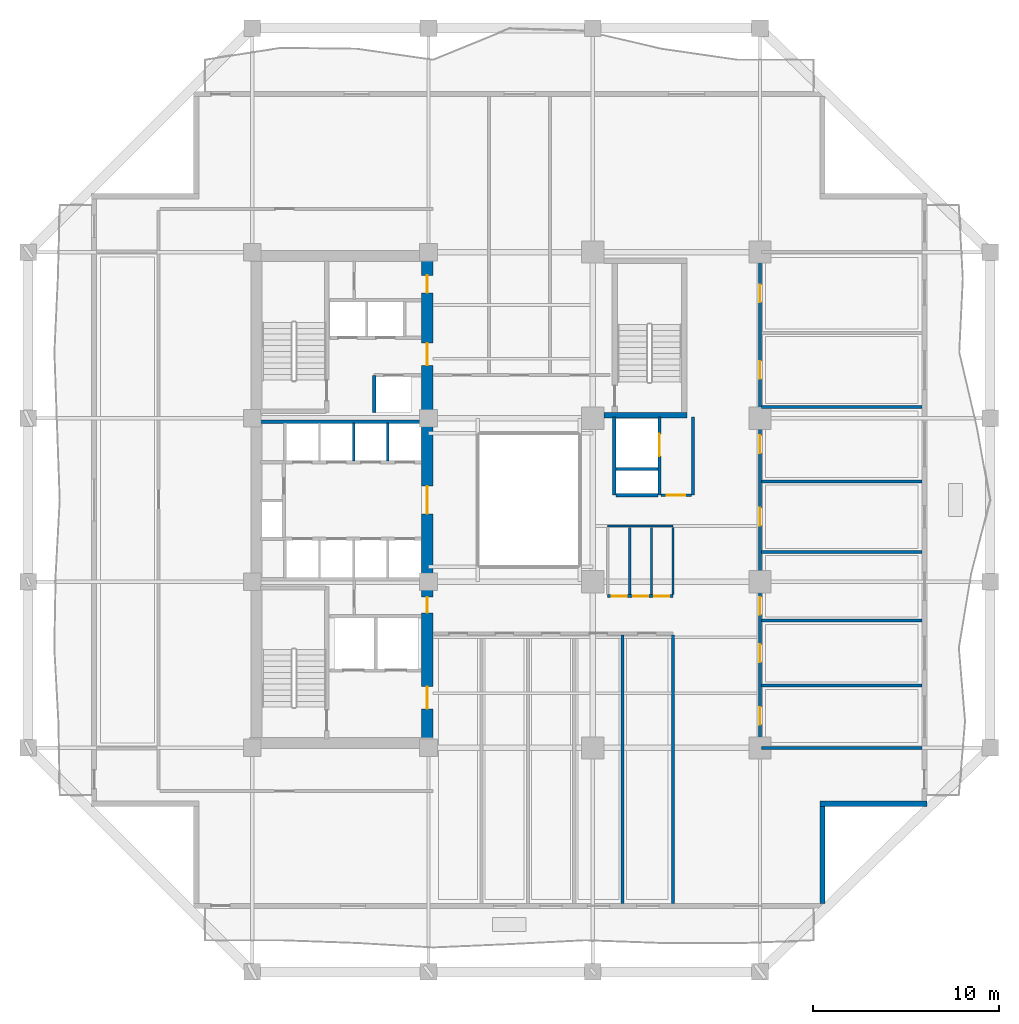
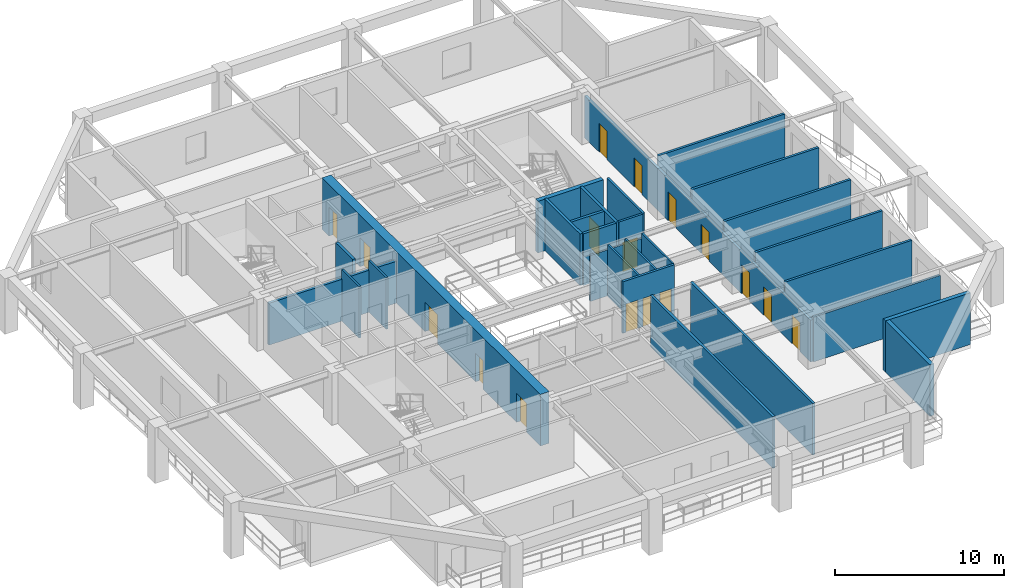
# One storey, part 4 of 13: 28 walls, 17 doors, 17 openings.
"""IFC4 building model written with IfcOpenShell, lengths in metres."""

from ifc_helpers import new_model, si_unit, direction, frame, frame_2d, origin, place, context, subcontext, project, spatial, rectangle, extrude, material, layer, layer_set, type_object, element, fill, save


model = new_model("IFC4")

# Units and contexts
model_context = context("Model", 3, precision=1e-05, world=origin(), true_north=direction((0.0, 1.0)))
body_context = subcontext(model_context, "Body", "Model", "MODEL_VIEW")
ifc_project = project(units=[si_unit("LENGTHUNIT", "METRE"), si_unit("AREAUNIT", "SQUARE_METRE"), si_unit("VOLUMEUNIT", "CUBIC_METRE"), si_unit("PLANEANGLEUNIT", "RADIAN"), si_unit("MASSUNIT", "GRAM", prefix="KILO")], contexts=[model_context])

# Site, building, storey
site_placement = place(None, origin())
site = spatial("IfcSite", under=ifc_project, at=site_placement, CompositionType="ELEMENT")
building_placement = place(site_placement, origin())
building = spatial("IfcBuilding", under=site, at=building_placement, Name="Kundavana Baori Tower", CompositionType="ELEMENT")
storey_placement = place(building_placement, frame((0.0, 0.0, 62.0)))
storey = spatial("IfcBuildingStorey", under=building, at=storey_placement, Name="L14", CompositionType="ELEMENT", Elevation=62.0)

# Wall, openings, doors
ifc_material_1 = material(Name="Concrete C60/75", Category="concrete")
ifc_layer_1 = layer(ifc_material_1, 0.60009765625, Name="WL-CORE-600")
ifc_layer_set_1 = layer_set([ifc_layer_1], Name="Concrete C60/75")
wall_type_1 = type_object("IfcWallType", Name="WL-CORE-600", PredefinedType="SHEAR", material=ifc_layer_set_1)
wall_1_placement = place(storey_placement, frame((24.8798828125, 15.739990234375, 0.0), z_axis=(0.0, 0.0, 1.0), x_axis=(0.0, 1.0, 0.0)))
wall_1 = element("IfcWall", 1, at=wall_1_placement, inside=storey, type_object=wall_type_1, Name="L14 Offset Core East Shear Wall", PredefinedType="SHEAR", context=body_context, shape_type="SweptSolid", body=[
    extrude(rectangle(XDim=25.760009765625, YDim=0.60009765625, at=frame_2d((12.8798828125, 0.0))), origin(), (0.0, 0.0, 1.0), 3.719970703125),
])
opening_1_placement = place(wall_1_placement, frame((1.610107421875, 0.0, 0.0)))
opening_1 = element("IfcOpeningElement", 2, at=opening_1_placement, cuts=wall_1, Name="Opening FD-120", PredefinedType="OPENING", context=body_context, shape_type="SweptSolid", body=[
    extrude(rectangle(XDim=1.199951171875, YDim=2.10009765625, at=frame_2d((0.60009765625, 1.050048828125))), frame((0.0, 0.31005859375, 0.0), z_axis=(0.0, -1.0, 0.0), x_axis=(1.0, 0.0, 0.0)), (0.0, 0.0, 1.0), 0.6201171875),
])
opening_2_placement = place(wall_1_placement, frame((6.780029296875, 0.0, 0.0)))
opening_2 = element("IfcOpeningElement", 3, at=opening_2_placement, cuts=wall_1, Name="Opening FD-085", PredefinedType="OPENING", context=body_context, shape_type="SweptSolid", body=[
    extrude(rectangle(XDim=0.85009765625, YDim=2.06005859375, at=frame_2d((0.425048828125, 1.030029296875))), frame((0.0, 0.31005859375, 0.0), z_axis=(0.0, -1.0, 0.0), x_axis=(1.0, 0.0, 0.0)), (0.0, 0.0, 1.0), 0.6201171875),
])
opening_3_placement = place(wall_1_placement, frame((12.110107421875, 0.0, 0.0)))
opening_3 = element("IfcOpeningElement", 4, at=opening_3_placement, cuts=wall_1, Name="Opening FD-150", PredefinedType="OPENING", context=body_context, shape_type="SweptSolid", body=[
    extrude(rectangle(XDim=1.5, YDim=2.1201171875, at=frame_2d((0.75, 1.06005859375))), frame((0.0, 0.31005859375, 0.0), z_axis=(0.0, -1.0, 0.0), x_axis=(1.0, 0.0, 0.0)), (0.0, 0.0, 1.0), 0.6201171875),
])
opening_4_placement = place(wall_1_placement, frame((20.110107421875, 0.0, 0.0)))
opening_4 = element("IfcOpeningElement", 5, at=opening_4_placement, cuts=wall_1, Name="Opening FD-122", PredefinedType="OPENING", context=body_context, shape_type="SweptSolid", body=[
    extrude(rectangle(XDim=1.199951171875, YDim=2.1201171875, at=frame_2d((0.60009765625, 1.06005859375))), frame((0.0, 0.31005859375, 0.0), z_axis=(0.0, -1.0, 0.0), x_axis=(1.0, 0.0, 0.0)), (0.0, 0.0, 1.0), 0.6201171875),
])
opening_5_placement = place(wall_1_placement, frame((24.010009765625, 0.0, 0.0)))
opening_5 = element("IfcOpeningElement", 6, at=opening_5_placement, cuts=wall_1, Name="Opening FD-095", PredefinedType="OPENING", context=body_context, shape_type="SweptSolid", body=[
    extrude(rectangle(XDim=0.949951171875, YDim=2.10009765625, at=frame_2d((0.47509765625, 1.050048828125))), frame((0.0, 0.31005859375, 0.0), z_axis=(0.0, -1.0, 0.0), x_axis=(1.0, 0.0, 0.0)), (0.0, 0.0, 1.0), 0.6201171875),
])
ifc_material_2 = material(Name="Galvanised Steel Fire-Rated Door Leaf", Category="steel")
door_type_1 = type_object("IfcDoorType", Name="DR-FD120-1200", OperationType="NOTDEFINED", PredefinedType="DOOR", material=ifc_material_2)
door_1_placement = place(opening_1_placement, frame((1.199951171875, 0.0, 0.0), z_axis=(0.0, 0.0, 1.0), x_axis=(-1.0, 0.0, 0.0)))
door_1 = element("IfcDoor", 7, at=door_1_placement, inside=storey, type_object=door_type_1, Name="DR-L14-FFLOB-E", OperationType="SINGLE_SWING_RIGHT", OverallHeight=2.10009765625, OverallWidth=1.199951171875, PredefinedType="DOOR", context=body_context, shape_type="SweptSolid", body=[
    extrude(rectangle(XDim=1.199951171875, YDim=2.10009765625, at=frame_2d((0.60009765625, 1.050048828125))), frame((0.0, 0.02490234375, 0.0), z_axis=(0.0, -1.0, 0.0), x_axis=(1.0, 0.0, 0.0)), (0.0, 0.0, 1.0), 0.050048828125),
])
fill(opening_1, door_1)
ifc_material_3 = material(Name="Galvanised Steel Fire-Rated Door Leaf", Category="steel")
door_type_2 = type_object("IfcDoorType", Name="DR-FD60-1200", OperationType="NOTDEFINED", PredefinedType="DOOR", material=ifc_material_3)
door_2_placement = place(opening_4_placement, frame((1.199951171875, 0.0, 0.0), z_axis=(0.0, 0.0, 1.0), x_axis=(-1.0, 0.0, 0.0)))
door_2 = element("IfcDoor", 8, at=door_2_placement, inside=storey, type_object=door_type_2, Name="DR-L14-HRLOB-E", OperationType="SINGLE_SWING_RIGHT", OverallHeight=2.1201171875, OverallWidth=1.199951171875, PredefinedType="DOOR", context=body_context, shape_type="SweptSolid", body=[
    extrude(rectangle(XDim=1.199951171875, YDim=2.1201171875, at=frame_2d((0.60009765625, 1.06005859375))), frame((0.0, 0.02490234375, 0.0), z_axis=(0.0, -1.0, 0.0), x_axis=(1.0, 0.0, 0.0)), (0.0, 0.0, 1.0), 0.050048828125),
])
fill(opening_4, door_2)
ifc_material_4 = material(Name="Galvanised Steel Fire-Rated Door Leaf", Category="steel")
door_type_3 = type_object("IfcDoorType", Name="DR-FD60-1500", OperationType="NOTDEFINED", PredefinedType="DOOR", material=ifc_material_4)
door_3_placement = place(opening_3_placement, frame((1.5, 0.0, 0.0), z_axis=(0.0, 0.0, 1.0), x_axis=(-1.0, 0.0, 0.0)))
door_3 = element("IfcDoor", 9, at=door_3_placement, inside=storey, type_object=door_type_3, Name="DR-L14-LIFTHALL-E", OperationType="SINGLE_SWING_LEFT", OverallHeight=2.1201171875, OverallWidth=1.5, PredefinedType="DOOR", context=body_context, shape_type="SweptSolid", body=[
    extrude(rectangle(XDim=1.5, YDim=2.1201171875, at=frame_2d((0.75, 1.06005859375))), frame((0.0, 0.02490234375, 0.0), z_axis=(0.0, -1.0, 0.0), x_axis=(1.0, 0.0, 0.0)), (0.0, 0.0, 1.0), 0.050048828125),
])
fill(opening_3, door_3)
ifc_material_5 = material(Name="Galvanised Steel Fire-Rated Door Leaf", Category="steel")
door_type_4 = type_object("IfcDoorType", Name="DR-FD60-850", OperationType="NOTDEFINED", PredefinedType="DOOR", material=ifc_material_5)
door_4_placement = place(opening_2_placement, frame((0.85009765625, 0.0, 0.0), z_axis=(0.0, 0.0, 1.0), x_axis=(-1.0, 0.0, 0.0)))
door_4 = element("IfcDoor", 10, at=door_4_placement, inside=storey, type_object=door_type_4, Name="DR-L14-CSMK2", OperationType="SINGLE_SWING_LEFT", OverallHeight=2.06005859375, OverallWidth=0.85009765625, PredefinedType="DOOR", context=body_context, shape_type="SweptSolid", body=[
    extrude(rectangle(XDim=0.85009765625, YDim=2.06005859375, at=frame_2d((0.425048828125, 1.030029296875))), frame((0.0, 0.02490234375, 0.0), z_axis=(0.0, -1.0, 0.0), x_axis=(1.0, 0.0, 0.0)), (0.0, 0.0, 1.0), 0.050048828125),
])
fill(opening_2, door_4)
ifc_material_6 = material(Name="Engineered Teak Fire-Rated Timber Door Leaf", Category="wood")
door_type_5 = type_object("IfcDoorType", Name="DR-FD60-950", OperationType="NOTDEFINED", PredefinedType="DOOR", material=ifc_material_6)
door_5_placement = place(opening_5_placement, frame((0.949951171875, 0.0, 0.0), z_axis=(0.0, 0.0, 1.0), x_axis=(-1.0, 0.0, 0.0)))
door_5 = element("IfcDoor", 11, at=door_5_placement, inside=storey, type_object=door_type_5, Name="DR-L14-CSRV2", OperationType="SINGLE_SWING_LEFT", OverallHeight=2.10009765625, OverallWidth=0.949951171875, PredefinedType="DOOR", context=body_context, shape_type="SweptSolid", body=[
    extrude(rectangle(XDim=0.949951171875, YDim=2.10009765625, at=frame_2d((0.47509765625, 1.050048828125))), frame((0.0, 0.02490234375, 0.0), z_axis=(0.0, -1.0, 0.0), x_axis=(1.0, 0.0, 0.0)), (0.0, 0.0, 1.0), 0.050048828125),
])
fill(opening_5, door_5)

# Walls
ifc_material_7 = material(Name="Red-Buff Dholpur Sandstone Cladding on Concrete C40/50", Category="masonry")
ifc_layer_2 = layer(ifc_material_7, 0.280029296875, Name="WL-EXT-SAND-280")
ifc_layer_set_2 = layer_set([ifc_layer_2], Name="Red-Buff Dholpur Sandstone Cladding on Concrete C40/50")
wall_type_2 = type_object("IfcWallType", Name="WL-EXT-SAND-280", PredefinedType="STANDARD", material=ifc_layer_set_2)
wall_2_placement = place(storey_placement, frame((46.159912109375, 6.8798828125, 0.0), z_axis=(0.0, 0.0, 1.0), x_axis=(0.0, 1.0, 0.0)))
element("IfcWall", 12, at=wall_2_placement, inside=storey, type_object=wall_type_2, Name="L14 Exterior Insulated Facade Wall 02", PredefinedType="STANDARD", context=body_context, shape_type="SweptSolid", body=[
    extrude(rectangle(XDim=5.22021484375, YDim=0.280029296875, at=frame_2d((2.610107421875, 0.0))), origin(), (0.0, 0.0, 1.0), 3.719970703125),
])
wall_3_placement = place(storey_placement, frame((46.02001953125, 12.239990234375, 0.0), z_axis=(0.0, 0.0, 1.0), x_axis=(1.0, 0.0, 0.0)))
element("IfcWall", 13, at=wall_3_placement, inside=storey, type_object=wall_type_2, Name="L14 Exterior Insulated Facade Wall 03", PredefinedType="STANDARD", context=body_context, shape_type="SweptSolid", body=[
    extrude(rectangle(XDim=5.780029296875, YDim=0.280029296875, at=frame_2d((2.89013671875, 0.0))), origin(), (0.0, 0.0, 1.0), 3.719970703125),
])
ifc_material_8 = material(Name="Acoustic Gypsum Plasterboard on Galvanised Steel Studs", Category="steel")
ifc_layer_3 = layer(ifc_material_8, 0.1201171875, Name="WL-PART-120")
ifc_layer_set_3 = layer_set([ifc_layer_3], Name="Acoustic Gypsum Plasterboard on Galvanised Steel Studs")
wall_type_3 = type_object("IfcWallType", Name="WL-PART-120", PredefinedType="PARTITIONING", material=ifc_layer_set_3)
for number, where, z_axis, x_axis, name in (
    (14, (20.919921875, 30.699951171875, 0.0), (0.0, 0.0, 1.0), (0.0, 1.0, 0.0), "WL-L14-LPMID-D2"),
    (15, (22.760009765625, 30.699951171875, 0.0), (0.0, 0.0, 1.0), (0.0, 1.0, 0.0), "WL-L14-LPMID-D3"),
):
    element("IfcWall", number, at=place(storey_placement, frame(where, z_axis=z_axis, x_axis=x_axis)), inside=storey, type_object=wall_type_3, Name=name, PredefinedType="PARTITIONING", context=body_context, shape_type="SweptSolid", body=[
        extrude(rectangle(XDim=2.050048828125, YDim=0.1201171875, at=frame_2d((1.02490234375, 0.0))), origin(), (0.0, 0.0, 1.0), 3.719970703125),
    ])
ifc_material_9 = material(Name="Fire-Rated Gypsum Drywall on Galvanised Steel Studs", Category="steel")
ifc_layer_4 = layer(ifc_material_9, 0.14990234375, Name="WL-PART-150")
ifc_layer_set_4 = layer_set([ifc_layer_4], Name="Fire-Rated Gypsum Drywall on Galvanised Steel Studs")
wall_type_4 = type_object("IfcWallType", Name="WL-PART-150", PredefinedType="PARTITIONING", material=ifc_layer_set_4)
wall_4_placement = place(storey_placement, frame((39.199951171875, 28.860107421875, 0.0), z_axis=(0.0, 0.0, 1.0), x_axis=(0.0, 1.0, 0.0)))
element("IfcWall", 16, at=wall_4_placement, inside=storey, type_object=wall_type_4, Name="WL-L14-SVLOB-E", PredefinedType="PARTITIONING", context=body_context, shape_type="SweptSolid", body=[
    extrude(rectangle(XDim=4.219970703125, YDim=0.14990234375, at=frame_2d((2.10986328125, 0.0))), origin(), (0.0, 0.0, 1.0), 3.719970703125),
])

# Wall, opening, door
wall_5_placement = place(storey_placement, frame((37.47998046875, 28.860107421875, 0.0), z_axis=(0.0, 0.0, 1.0), x_axis=(1.0, 0.0, 0.0)))
wall_5 = element("IfcWall", 17, at=wall_5_placement, inside=storey, type_object=wall_type_4, Name="WL-L14-SVLOB-S", PredefinedType="PARTITIONING", context=body_context, shape_type="SweptSolid", body=[
    extrude(rectangle(XDim=1.64013671875, YDim=0.14990234375, at=frame_2d((0.820068359375, 0.0))), origin(), (0.0, 0.0, 1.0), 3.719970703125),
])
opening_6_placement = place(wall_5_placement, frame((0.300048828125, 0.0, 0.0)))
opening_6 = element("IfcOpeningElement", 18, at=opening_6_placement, cuts=wall_5, Name="Opening FD-100", PredefinedType="OPENING", context=body_context, shape_type="SweptSolid", body=[
    extrude(rectangle(XDim=1.0, YDim=2.10009765625, at=frame_2d((0.5, 1.050048828125))), frame((0.0, 0.0849609375, 0.0), z_axis=(0.0, -1.0, 0.0), x_axis=(1.0, 0.0, 0.0)), (0.0, 0.0, 1.0), 0.169921875),
])
ifc_material_10 = material(Name="Engineered Teak Fire-Rated Timber Door Leaf", Category="wood")
door_type_6 = type_object("IfcDoorType", Name="DR-FD60-1000", OperationType="NOTDEFINED", PredefinedType="DOOR", material=ifc_material_10)
door_6_placement = place(opening_6_placement, origin())
door_6 = element("IfcDoor", 19, at=door_6_placement, inside=storey, type_object=door_type_6, Name="DR-L14-SVLOB-OUT", OperationType="SINGLE_SWING_LEFT", OverallHeight=2.10009765625, OverallWidth=1.0, PredefinedType="DOOR", context=body_context, shape_type="SweptSolid", body=[
    extrude(rectangle(XDim=1.0, YDim=2.10009765625, at=frame_2d((0.5, 1.050048828125))), frame((0.0, 0.02490234375, 0.0), z_axis=(0.0, -1.0, 0.0), x_axis=(1.0, 0.0, 0.0)), (0.0, 0.0, 1.0), 0.050048828125),
])
fill(opening_6, door_6)

# Wall
ifc_material_11 = material(Name="Fire-Rated Gypsum Drywall on Galvanised Steel Studs", Category="steel")
ifc_layer_5 = layer(ifc_material_11, 0.1650390625, Name="WL-PART-165")
ifc_layer_set_5 = layer_set([ifc_layer_5], Name="Fire-Rated Gypsum Drywall on Galvanised Steel Studs")
wall_type_5 = type_object("IfcWallType", Name="WL-PART-165", PredefinedType="PARTITIONING", material=ifc_layer_set_5)
wall_6_placement = place(storey_placement, frame((38.1201171875, 6.8798828125, 0.0), z_axis=(0.0, 0.0, 1.0), x_axis=(0.0, 1.0, 0.0)))
element("IfcWall", 20, at=wall_6_placement, inside=storey, type_object=wall_type_5, Name="WL-L14-OFSEND", PredefinedType="PARTITIONING", context=body_context, shape_type="SweptSolid", body=[
    extrude(rectangle(XDim=14.460205078125, YDim=0.1650390625, at=frame_2d((7.22998046875, 0.0))), origin(), (0.0, 0.0, 1.0), 3.719970703125),
])

# Wall, openings, doors
wall_7_placement = place(storey_placement, frame((34.60009765625, 23.419921875, 0.0), z_axis=(0.0, 0.0, 1.0), x_axis=(1.0, 0.0, 0.0)))
wall_7 = element("IfcWall", 21, at=wall_7_placement, inside=storey, type_object=wall_type_5, Name="WL-L14-OFST", PredefinedType="PARTITIONING", context=body_context, shape_type="SweptSolid", body=[
    extrude(rectangle(XDim=3.52001953125, YDim=0.1650390625, at=frame_2d((1.760009765625, 0.0))), origin(), (0.0, 0.0, 1.0), 3.719970703125),
])
opening_7_placement = place(wall_7_placement, frame((0.219970703125, 0.0, 0.0)))
opening_7 = element("IfcOpeningElement", 22, at=opening_7_placement, cuts=wall_7, Name="Opening WD-080", PredefinedType="OPENING", context=body_context, shape_type="SweptSolid", body=[
    extrude(rectangle(XDim=0.800048828125, YDim=2.050048828125, at=frame_2d((0.39990234375, 1.02490234375))), frame((0.0, 0.092529296875, 0.0), z_axis=(0.0, -1.0, 0.0), x_axis=(1.0, 0.0, 0.0)), (0.0, 0.0, 1.0), 0.18505859375),
])
opening_8_placement = place(wall_7_placement, frame((1.3798828125, 0.0, 0.0)))
opening_8 = element("IfcOpeningElement", 23, at=opening_8_placement, cuts=wall_7, Name="Opening WD-080", PredefinedType="OPENING", context=body_context, shape_type="SweptSolid", body=[
    extrude(rectangle(XDim=0.800048828125, YDim=2.050048828125, at=frame_2d((0.39990234375, 1.02490234375))), frame((0.0, 0.092529296875, 0.0), z_axis=(0.0, -1.0, 0.0), x_axis=(1.0, 0.0, 0.0)), (0.0, 0.0, 1.0), 0.18505859375),
])
opening_9_placement = place(wall_7_placement, frame((2.52001953125, 0.0, 0.0)))
opening_9 = element("IfcOpeningElement", 24, at=opening_9_placement, cuts=wall_7, Name="Opening WD-080", PredefinedType="OPENING", context=body_context, shape_type="SweptSolid", body=[
    extrude(rectangle(XDim=0.800048828125, YDim=2.050048828125, at=frame_2d((0.39990234375, 1.02490234375))), frame((0.0, 0.092529296875, 0.0), z_axis=(0.0, -1.0, 0.0), x_axis=(1.0, 0.0, 0.0)), (0.0, 0.0, 1.0), 0.18505859375),
])
ifc_material_12 = material(Name="Engineered Teak Solid-Core Timber Veneer", Category="wood")
door_type_7 = type_object("IfcDoorType", Name="DR-WET-800", OperationType="NOTDEFINED", PredefinedType="DOOR", material=ifc_material_12)
door_7_placement = place(opening_7_placement, origin())
door_7 = element("IfcDoor", 25, at=door_7_placement, inside=storey, type_object=door_type_7, Name="DR-L14-WCM", OperationType="SINGLE_SWING_LEFT", OverallHeight=2.050048828125, OverallWidth=0.800048828125, PredefinedType="DOOR", context=body_context, shape_type="SweptSolid", body=[
    extrude(rectangle(XDim=0.800048828125, YDim=2.050048828125, at=frame_2d((0.39990234375, 1.02490234375))), frame((0.0, 0.02490234375, 0.0), z_axis=(0.0, -1.0, 0.0), x_axis=(1.0, 0.0, 0.0)), (0.0, 0.0, 1.0), 0.050048828125),
])
fill(opening_7, door_7)
door_8_placement = place(opening_8_placement, origin())
door_8 = element("IfcDoor", 26, at=door_8_placement, inside=storey, type_object=door_type_7, Name="DR-L14-WCA", OperationType="SINGLE_SWING_RIGHT", OverallHeight=2.050048828125, OverallWidth=0.800048828125, PredefinedType="DOOR", context=body_context, shape_type="SweptSolid", body=[
    extrude(rectangle(XDim=0.800048828125, YDim=2.050048828125, at=frame_2d((0.39990234375, 1.02490234375))), frame((0.0, 0.02490234375, 0.0), z_axis=(0.0, -1.0, 0.0), x_axis=(1.0, 0.0, 0.0)), (0.0, 0.0, 1.0), 0.050048828125),
])
fill(opening_8, door_8)
door_9_placement = place(opening_9_placement, origin())
door_9 = element("IfcDoor", 27, at=door_9_placement, inside=storey, type_object=door_type_7, Name="DR-L14-PNT", OperationType="SINGLE_SWING_LEFT", OverallHeight=2.050048828125, OverallWidth=0.800048828125, PredefinedType="DOOR", context=body_context, shape_type="SweptSolid", body=[
    extrude(rectangle(XDim=0.800048828125, YDim=2.050048828125, at=frame_2d((0.39990234375, 1.02490234375))), frame((0.0, 0.02490234375, 0.0), z_axis=(0.0, -1.0, 0.0), x_axis=(1.0, 0.0, 0.0)), (0.0, 0.0, 1.0), 0.050048828125),
])
fill(opening_9, door_9)

wall_8_placement = place(storey_placement, frame((42.800048828125, 15.25, 0.0), z_axis=(0.0, 0.0, 1.0), x_axis=(0.0, 1.0, 0.0)))
wall_8 = element("IfcWall", 28, at=wall_8_placement, inside=storey, type_object=wall_type_5, Name="WL-L14-OFE", PredefinedType="PARTITIONING", context=body_context, shape_type="SweptSolid", body=[
    extrude(rectangle(XDim=26.699951171875, YDim=0.1650390625, at=frame_2d((13.35009765625, 0.0))), origin(), (0.0, 0.0, 1.0), 3.02001953125),
])
opening_10_placement = place(wall_8_placement, frame((1.25, 0.0, 0.0)))
opening_10 = element("IfcOpeningElement", 29, at=opening_10_placement, cuts=wall_8, Name="Opening ID-095", PredefinedType="OPENING", context=body_context, shape_type="SweptSolid", body=[
    extrude(rectangle(XDim=0.949951171875, YDim=2.080078125, at=frame_2d((0.47509765625, 1.0400390625))), frame((0.0, 0.092529296875, 0.0), z_axis=(0.0, -1.0, 0.0), x_axis=(1.0, 0.0, 0.0)), (0.0, 0.0, 1.0), 0.18505859375),
])
opening_11_placement = place(wall_8_placement, frame((4.625, 0.0, 0.0)))
opening_11 = element("IfcOpeningElement", 30, at=opening_11_placement, cuts=wall_8, Name="Opening ID-095", PredefinedType="OPENING", context=body_context, shape_type="SweptSolid", body=[
    extrude(rectangle(XDim=0.949951171875, YDim=2.080078125, at=frame_2d((0.47509765625, 1.0400390625))), frame((0.0, 0.092529296875, 0.0), z_axis=(0.0, -1.0, 0.0), x_axis=(1.0, 0.0, 0.0)), (0.0, 0.0, 1.0), 0.18505859375),
])
opening_12_placement = place(wall_8_placement, frame((7.175048828125, 0.0, 0.0)))
opening_12 = element("IfcOpeningElement", 31, at=opening_12_placement, cuts=wall_8, Name="Opening ID-095", PredefinedType="OPENING", context=body_context, shape_type="SweptSolid", body=[
    extrude(rectangle(XDim=0.949951171875, YDim=2.080078125, at=frame_2d((0.47509765625, 1.0400390625))), frame((0.0, 0.092529296875, 0.0), z_axis=(0.0, -1.0, 0.0), x_axis=(1.0, 0.0, 0.0)), (0.0, 0.0, 1.0), 0.18505859375),
])
opening_13_placement = place(wall_8_placement, frame((11.97509765625, 0.0, 0.0)))
opening_13 = element("IfcOpeningElement", 32, at=opening_13_placement, cuts=wall_8, Name="Opening ID-095", PredefinedType="OPENING", context=body_context, shape_type="SweptSolid", body=[
    extrude(rectangle(XDim=0.949951171875, YDim=2.080078125, at=frame_2d((0.47509765625, 1.0400390625))), frame((0.0, 0.092529296875, 0.0), z_axis=(0.0, -1.0, 0.0), x_axis=(1.0, 0.0, 0.0)), (0.0, 0.0, 1.0), 0.18505859375),
])
opening_14_placement = place(wall_8_placement, frame((15.875, 0.0, 0.0)))
opening_14 = element("IfcOpeningElement", 33, at=opening_14_placement, cuts=wall_8, Name="Opening ID-095", PredefinedType="OPENING", context=body_context, shape_type="SweptSolid", body=[
    extrude(rectangle(XDim=0.949951171875, YDim=2.080078125, at=frame_2d((0.47509765625, 1.0400390625))), frame((0.0, 0.092529296875, 0.0), z_axis=(0.0, -1.0, 0.0), x_axis=(1.0, 0.0, 0.0)), (0.0, 0.0, 1.0), 0.18505859375),
])
opening_15_placement = place(wall_8_placement, frame((19.875, 0.0, 0.0)))
opening_15 = element("IfcOpeningElement", 34, at=opening_15_placement, cuts=wall_8, Name="Opening ID-095", PredefinedType="OPENING", context=body_context, shape_type="SweptSolid", body=[
    extrude(rectangle(XDim=0.949951171875, YDim=2.080078125, at=frame_2d((0.47509765625, 1.0400390625))), frame((0.0, 0.092529296875, 0.0), z_axis=(0.0, -1.0, 0.0), x_axis=(1.0, 0.0, 0.0)), (0.0, 0.0, 1.0), 0.18505859375),
])
opening_16_placement = place(wall_8_placement, frame((24.0, 0.0, 0.0)))
opening_16 = element("IfcOpeningElement", 35, at=opening_16_placement, cuts=wall_8, Name="Opening ID-095", PredefinedType="OPENING", context=body_context, shape_type="SweptSolid", body=[
    extrude(rectangle(XDim=0.949951171875, YDim=2.080078125, at=frame_2d((0.47509765625, 1.0400390625))), frame((0.0, 0.092529296875, 0.0), z_axis=(0.0, -1.0, 0.0), x_axis=(1.0, 0.0, 0.0)), (0.0, 0.0, 1.0), 0.18505859375),
])
ifc_material_13 = material(Name="Engineered Teak Solid-Core Timber Veneer", Category="wood")
door_type_8 = type_object("IfcDoorType", Name="DR-INT-950", OperationType="NOTDEFINED", PredefinedType="DOOR", material=ifc_material_13)
door_10_placement = place(opening_10_placement, origin())
door_10 = element("IfcDoor", 36, at=door_10_placement, inside=storey, type_object=door_type_8, Name="DR-L14-OFE1", OperationType="SINGLE_SWING_RIGHT", OverallHeight=2.080078125, OverallWidth=0.949951171875, PredefinedType="DOOR", context=body_context, shape_type="SweptSolid", body=[
    extrude(rectangle(XDim=0.949951171875, YDim=2.080078125, at=frame_2d((0.47509765625, 1.0400390625))), frame((0.0, 0.02490234375, 0.0), z_axis=(0.0, -1.0, 0.0), x_axis=(1.0, 0.0, 0.0)), (0.0, 0.0, 1.0), 0.050048828125),
])
fill(opening_10, door_10)
door_11_placement = place(opening_11_placement, origin())
door_11 = element("IfcDoor", 37, at=door_11_placement, inside=storey, type_object=door_type_8, Name="DR-L14-OFE2", OperationType="SINGLE_SWING_LEFT", OverallHeight=2.080078125, OverallWidth=0.949951171875, PredefinedType="DOOR", context=body_context, shape_type="SweptSolid", body=[
    extrude(rectangle(XDim=0.949951171875, YDim=2.080078125, at=frame_2d((0.47509765625, 1.0400390625))), frame((0.0, 0.02490234375, 0.0), z_axis=(0.0, -1.0, 0.0), x_axis=(1.0, 0.0, 0.0)), (0.0, 0.0, 1.0), 0.050048828125),
])
fill(opening_11, door_11)
door_12_placement = place(opening_12_placement, origin())
door_12 = element("IfcDoor", 38, at=door_12_placement, inside=storey, type_object=door_type_8, Name="DR-L14-OFE3", OperationType="SINGLE_SWING_RIGHT", OverallHeight=2.080078125, OverallWidth=0.949951171875, PredefinedType="DOOR", context=body_context, shape_type="SweptSolid", body=[
    extrude(rectangle(XDim=0.949951171875, YDim=2.080078125, at=frame_2d((0.47509765625, 1.0400390625))), frame((0.0, 0.02490234375, 0.0), z_axis=(0.0, -1.0, 0.0), x_axis=(1.0, 0.0, 0.0)), (0.0, 0.0, 1.0), 0.050048828125),
])
fill(opening_12, door_12)
door_13_placement = place(opening_13_placement, origin())
door_13 = element("IfcDoor", 39, at=door_13_placement, inside=storey, type_object=door_type_8, Name="DR-L14-OFE4", OperationType="SINGLE_SWING_LEFT", OverallHeight=2.080078125, OverallWidth=0.949951171875, PredefinedType="DOOR", context=body_context, shape_type="SweptSolid", body=[
    extrude(rectangle(XDim=0.949951171875, YDim=2.080078125, at=frame_2d((0.47509765625, 1.0400390625))), frame((0.0, 0.02490234375, 0.0), z_axis=(0.0, -1.0, 0.0), x_axis=(1.0, 0.0, 0.0)), (0.0, 0.0, 1.0), 0.050048828125),
])
fill(opening_13, door_13)
door_14_placement = place(opening_14_placement, origin())
door_14 = element("IfcDoor", 40, at=door_14_placement, inside=storey, type_object=door_type_8, Name="DR-L14-OFE5", OperationType="SINGLE_SWING_RIGHT", OverallHeight=2.080078125, OverallWidth=0.949951171875, PredefinedType="DOOR", context=body_context, shape_type="SweptSolid", body=[
    extrude(rectangle(XDim=0.949951171875, YDim=2.080078125, at=frame_2d((0.47509765625, 1.0400390625))), frame((0.0, 0.02490234375, 0.0), z_axis=(0.0, -1.0, 0.0), x_axis=(1.0, 0.0, 0.0)), (0.0, 0.0, 1.0), 0.050048828125),
])
fill(opening_14, door_14)
door_15_placement = place(opening_15_placement, origin())
door_15 = element("IfcDoor", 41, at=door_15_placement, inside=storey, type_object=door_type_8, Name="DR-L14-OFE6", OperationType="SINGLE_SWING_LEFT", OverallHeight=2.080078125, OverallWidth=0.949951171875, PredefinedType="DOOR", context=body_context, shape_type="SweptSolid", body=[
    extrude(rectangle(XDim=0.949951171875, YDim=2.080078125, at=frame_2d((0.47509765625, 1.0400390625))), frame((0.0, 0.02490234375, 0.0), z_axis=(0.0, -1.0, 0.0), x_axis=(1.0, 0.0, 0.0)), (0.0, 0.0, 1.0), 0.050048828125),
])
fill(opening_15, door_15)
door_16_placement = place(opening_16_placement, origin())
door_16 = element("IfcDoor", 42, at=door_16_placement, inside=storey, type_object=door_type_8, Name="DR-L14-OFE7", OperationType="SINGLE_SWING_RIGHT", OverallHeight=2.080078125, OverallWidth=0.949951171875, PredefinedType="DOOR", context=body_context, shape_type="SweptSolid", body=[
    extrude(rectangle(XDim=0.949951171875, YDim=2.080078125, at=frame_2d((0.47509765625, 1.0400390625))), frame((0.0, 0.02490234375, 0.0), z_axis=(0.0, -1.0, 0.0), x_axis=(1.0, 0.0, 0.0)), (0.0, 0.0, 1.0), 0.050048828125),
])
fill(opening_16, door_16)

# Walls
wall_9_placement = place(storey_placement, frame((42.8798828125, 15.25, 0.0), z_axis=(0.0, 0.0, 1.0), x_axis=(1.0, 0.0, 0.0)))
element("IfcWall", 43, at=wall_9_placement, inside=storey, type_object=wall_type_5, Name="WL-L14-OFES", PredefinedType="PARTITIONING", context=body_context, shape_type="SweptSolid", body=[
    extrude(rectangle(XDim=8.64013671875, YDim=0.1650390625, at=frame_2d((4.320068359375, 0.0))), origin(), (0.0, 0.0, 1.0), 3.219970703125),
])
wall_10_placement = place(storey_placement, frame((35.39990234375, 6.8798828125, 0.0), z_axis=(0.0, 0.0, 1.0), x_axis=(0.0, 1.0, 0.0)))
element("IfcWall", 44, at=wall_10_placement, inside=storey, type_object=wall_type_5, Name="WL-L14-SD4", PredefinedType="PARTITIONING", context=body_context, shape_type="SweptSolid", body=[
    extrude(rectangle(XDim=14.460205078125, YDim=0.1650390625, at=frame_2d((7.22998046875, 0.0))), origin(), (0.0, 0.0, 1.0), 3.719970703125),
])
for number, where, z_axis, x_axis, name in (
    (45, (42.8798828125, 18.60009765625, 0.0), (0.0, 0.0, 1.0), (1.0, 0.0, 0.0), "WL-L14-ED1"),
    (46, (42.8798828125, 22.10009765625, 0.0), (0.0, 0.0, 1.0), (1.0, 0.0, 0.0), "WL-L14-ED2"),
    (47, (42.8798828125, 25.800048828125, 0.0), (0.0, 0.0, 1.0), (1.0, 0.0, 0.0), "WL-L14-ED3"),
    (48, (42.8798828125, 29.60009765625, 0.0), (0.0, 0.0, 1.0), (1.0, 0.0, 0.0), "WL-L14-ED4"),
    (49, (42.8798828125, 33.60009765625, 0.0), (0.0, 0.0, 1.0), (1.0, 0.0, 0.0), "WL-L14-ED5"),
):
    element("IfcWall", number, at=place(storey_placement, frame(where, z_axis=z_axis, x_axis=x_axis)), inside=storey, type_object=wall_type_5, Name=name, PredefinedType="PARTITIONING", context=body_context, shape_type="SweptSolid", body=[
        extrude(rectangle(XDim=8.64013671875, YDim=0.1650390625, at=frame_2d((4.320068359375, 0.0))), origin(), (0.0, 0.0, 1.0), 3.719970703125),
    ])
ifc_material_14 = material(Name="Autoclaved Aerated Concrete Blockwork Masonry", Category="masonry")
ifc_layer_6 = layer(ifc_material_14, 0.179931640625, Name="WL-SHAFT-180")
ifc_layer_set_6 = layer_set([ifc_layer_6], Name="Autoclaved Aerated Concrete Blockwork Masonry")
wall_type_6 = type_object("IfcWallType", Name="WL-SHAFT-180", PredefinedType="SOLIDWALL", material=ifc_layer_set_6)
wall_11_placement = place(storey_placement, frame((15.89990234375, 32.820068359375, 0.0), z_axis=(0.0, 0.0, 1.0), x_axis=(1.0, 0.0, 0.0)))
element("IfcWall", 50, at=wall_11_placement, inside=storey, type_object=wall_type_6, Name="WL-L14-LPMID-N", PredefinedType="SOLIDWALL", context=body_context, shape_type="SweptSolid", body=[
    extrude(rectangle(XDim=8.68017578125, YDim=0.179931640625, at=frame_2d((4.340087890625, 0.0))), origin(), (0.0, 0.0, 1.0), 3.02001953125),
])
wall_12_placement = place(storey_placement, frame((22.02001953125, 33.300048828125, 0.0), z_axis=(0.0, 0.0, 1.0), x_axis=(0.0, 1.0, 0.0)))
element("IfcWall", 51, at=wall_12_placement, inside=storey, type_object=wall_type_6, Name="WL-L14-LP11-W", PredefinedType="SOLIDWALL", context=body_context, shape_type="SweptSolid", body=[
    extrude(rectangle(XDim=2.010009765625, YDim=0.179931640625, at=frame_2d((1.0048828125, 0.0))), origin(), (0.0, 0.0, 1.0), 3.719970703125),
])
wall_13_placement = place(storey_placement, frame((34.9599609375, 28.860107421875, 0.0), z_axis=(0.0, 0.0, 1.0), x_axis=(0.0, 1.0, 0.0)))
element("IfcWall", 52, at=wall_13_placement, inside=storey, type_object=wall_type_6, Name="WL-L14-SVL-W", PredefinedType="SOLIDWALL", context=body_context, shape_type="SweptSolid", body=[
    extrude(rectangle(XDim=4.219970703125, YDim=0.179931640625, at=frame_2d((2.10986328125, 0.0))), origin(), (0.0, 0.0, 1.0), 3.719970703125),
])

# Wall, opening, door
wall_14_placement = place(storey_placement, frame((37.389892578125, 28.860107421875, 0.0), z_axis=(0.0, 0.0, 1.0), x_axis=(0.0, 1.0, 0.0)))
wall_14 = element("IfcWall", 53, at=wall_14_placement, inside=storey, type_object=wall_type_6, Name="WL-L14-SVL-E", PredefinedType="SOLIDWALL", context=body_context, shape_type="SweptSolid", body=[
    extrude(rectangle(XDim=4.219970703125, YDim=0.179931640625, at=frame_2d((2.10986328125, 0.0))), origin(), (0.0, 0.0, 1.0), 3.719970703125),
])
opening_17_placement = place(wall_14_placement, frame((2.10009765625, 0.0, 0.0)))
opening_17 = element("IfcOpeningElement", 54, at=opening_17_placement, cuts=wall_14, Name="Opening LD-120", PredefinedType="OPENING", context=body_context, shape_type="SweptSolid", body=[
    extrude(rectangle(XDim=1.199951171875, YDim=2.1201171875, at=frame_2d((0.60009765625, 1.06005859375))), frame((0.0, 0.10009765625, 0.0), z_axis=(0.0, -1.0, 0.0), x_axis=(1.0, 0.0, 0.0)), (0.0, 0.0, 1.0), 0.199951171875),
])
ifc_material_15 = material(Name="Galvanised Steel Fire-Rated Door Leaf", Category="steel")
door_type_9 = type_object("IfcDoorType", Name="DR-SLIDE-LD1200", OperationType="NOTDEFINED", PredefinedType="DOOR", material=ifc_material_15)
door_17_placement = place(opening_17_placement, frame((1.199951171875, 0.0, 0.0), z_axis=(0.0, 0.0, 1.0), x_axis=(-1.0, 0.0, 0.0)))
door_17 = element("IfcDoor", 55, at=door_17_placement, inside=storey, type_object=door_type_9, Name="DR-L14-LD-SVL1", OperationType="DOUBLE_DOOR_SLIDING", OverallHeight=2.1201171875, OverallWidth=1.199951171875, PredefinedType="DOOR", context=body_context, shape_type="SweptSolid", body=[
    extrude(rectangle(XDim=1.199951171875, YDim=2.1201171875, at=frame_2d((0.60009765625, 1.06005859375))), frame((0.0, 0.02490234375, 0.0), z_axis=(0.0, -1.0, 0.0), x_axis=(1.0, 0.0, 0.0)), (0.0, 0.0, 1.0), 0.050048828125),
])
fill(opening_17, door_17)

# Walls
for number, where, z_axis, x_axis, name in (
    (56, (35.050048828125, 28.860107421875, 0.0), (0.0, 0.0, 1.0), (1.0, 0.0, 0.0), "WL-L14-SVL-S"),
    (57, (35.050048828125, 30.27001953125, 0.0), (0.0, 0.0, 1.0), (1.0, 0.0, 0.0), "WL-L14-SVL-M"),
):
    element("IfcWall", number, at=place(storey_placement, frame(where, z_axis=z_axis, x_axis=x_axis)), inside=storey, type_object=wall_type_6, Name=name, PredefinedType="SOLIDWALL", context=body_context, shape_type="SweptSolid", body=[
        extrude(rectangle(XDim=2.25, YDim=0.179931640625, at=frame_2d((1.125, 0.0))), origin(), (0.0, 0.0, 1.0), 3.719970703125),
    ])
ifc_material_16 = material(Name="Concrete C50/60", Category="concrete")
ifc_layer_7 = layer(ifc_material_16, 0.300048828125, Name="WL-ST3-300")
ifc_layer_set_7 = layer_set([ifc_layer_7], Name="Concrete C50/60")
wall_type_7 = type_object("IfcWallType", Name="WL-ST3-300", PredefinedType="SHEAR", material=ifc_layer_set_7)
wall_15_placement = place(storey_placement, frame((34.39990234375, 33.159912109375, 0.0), z_axis=(0.0, 0.0, 1.0), x_axis=(1.0, 0.0, 0.0)))
element("IfcWall", 58, at=wall_15_placement, inside=storey, type_object=wall_type_7, Name="L14 Stair ST3 South Shear Wall", PredefinedType="SHEAR", context=body_context, shape_type="SweptSolid", body=[
    extrude(rectangle(XDim=4.47021484375, YDim=0.300048828125, at=frame_2d((2.235107421875, 0.0))), origin(), (0.0, 0.0, 1.0), 3.719970703125),
])
ifc_material_17 = material(Name="Autoclaved Aerated Concrete Blockwork Masonry", Category="masonry")
ifc_layer_8 = layer(ifc_material_17, 0.125, Name="WL-WET-120")
ifc_layer_set_8 = layer_set([ifc_layer_8], Name="Autoclaved Aerated Concrete Blockwork Masonry")
wall_type_8 = type_object("IfcWallType", Name="WL-WET-120", PredefinedType="PLUMBINGWALL", material=ifc_layer_set_8)
wall_16_placement = place(storey_placement, frame((34.60009765625, 27.199951171875, 0.0), z_axis=(0.0, 0.0, 1.0), x_axis=(1.0, 0.0, 0.0)))
element("IfcWall", 59, at=wall_16_placement, inside=storey, type_object=wall_type_8, Name="WL-L14-WCN", PredefinedType="PLUMBINGWALL", context=body_context, shape_type="SweptSolid", body=[
    extrude(rectangle(XDim=3.52001953125, YDim=0.125, at=frame_2d((1.760009765625, 0.0))), origin(), (0.0, 0.0, 1.0), 3.320068359375),
])
for number, where, z_axis, x_axis, name in (
    (60, (38.1201171875, 23.5, 0.0), (0.0, 0.0, 1.0), (0.0, 1.0, 0.0), "WL-L14-WCE"),
    (61, (35.780029296875, 23.5, 0.0), (0.0, 0.0, 1.0), (0.0, 1.0, 0.0), "WL-L14-WCD1"),
    (62, (36.9599609375, 23.5, 0.0), (0.0, 0.0, 1.0), (0.0, 1.0, 0.0), "WL-L14-WCD2"),
):
    element("IfcWall", number, at=place(storey_placement, frame(where, z_axis=z_axis, x_axis=x_axis)), inside=storey, type_object=wall_type_8, Name=name, PredefinedType="PLUMBINGWALL", context=body_context, shape_type="SweptSolid", body=[
        extrude(rectangle(XDim=3.6201171875, YDim=0.125, at=frame_2d((1.81005859375, 0.0))), origin(), (0.0, 0.0, 1.0), 3.719970703125),
    ])

save(model, "model.ifc")
